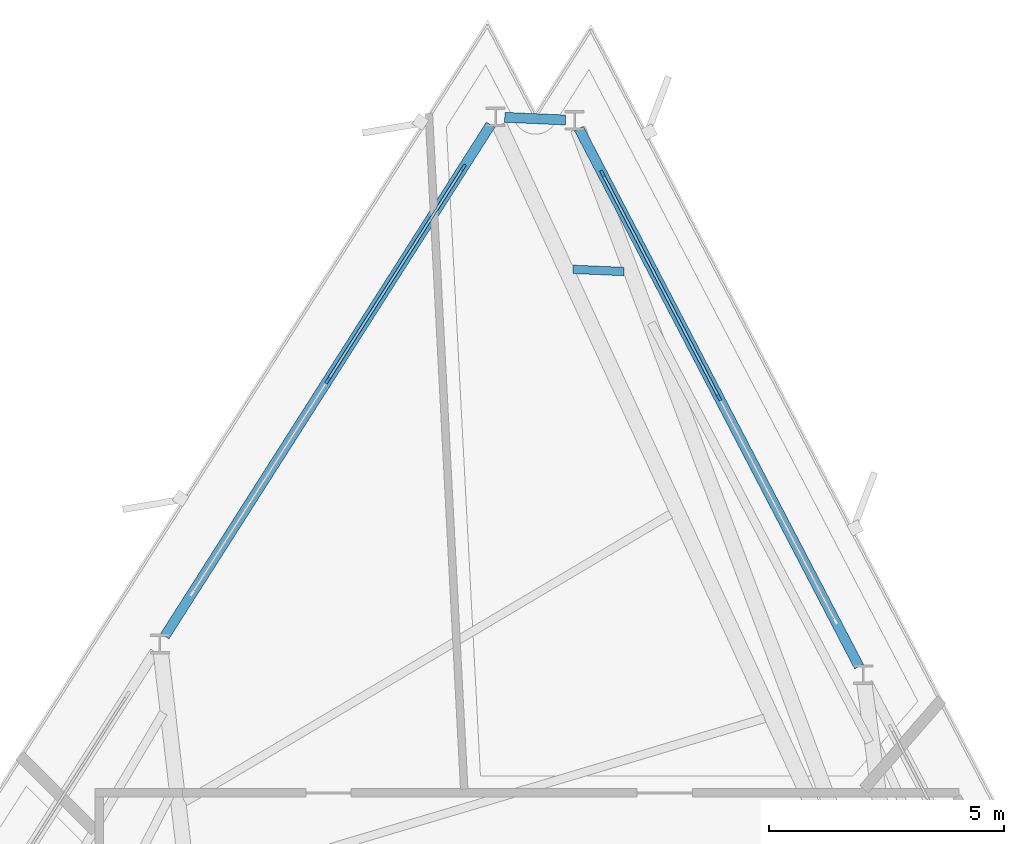
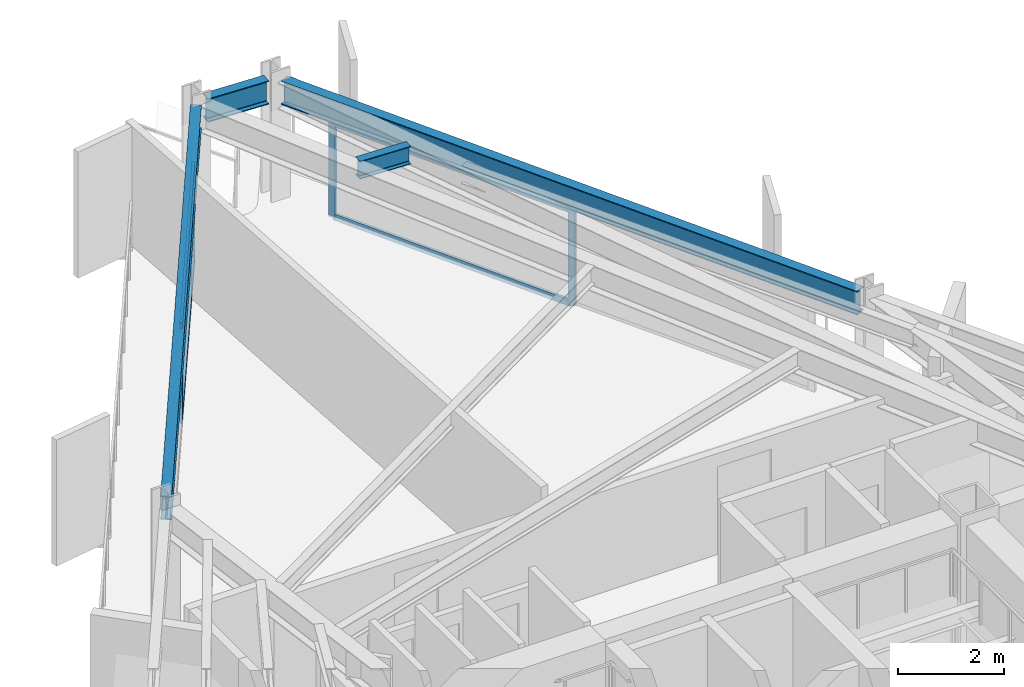
# One storey, part 6 of 12: 8 members, 4 beams, 2 elements without a shape of their own.
"""IFC4 building model written with IfcOpenShell, lengths in metres."""

from ifc_helpers import new_model, si_unit, direction, frame, origin, origin_2d, place, context, subcontext, project, spatial, rectangle, i_section, extrude, material, layer, layer_set, material_profile, profile_set, type_object, element, aggregate, save


model = new_model("IFC4")

# Units and contexts
model_context = context("Model", 3, precision=1e-05, world=origin(), true_north=direction((0.0, 1.0)))
body_context = subcontext(model_context, "Body", "Model", "MODEL_VIEW")
ifc_project = project(units=[si_unit("LENGTHUNIT", "METRE"), si_unit("AREAUNIT", "SQUARE_METRE"), si_unit("VOLUMEUNIT", "CUBIC_METRE"), si_unit("PLANEANGLEUNIT", "RADIAN"), si_unit("MASSUNIT", "GRAM", prefix="KILO")], contexts=[model_context])

# Site, building, storey
site_placement = place(None, origin())
site = spatial("IfcSite", under=ifc_project, at=site_placement, CompositionType="ELEMENT")
building_placement = place(site_placement, origin())
building = spatial("IfcBuilding", under=site, at=building_placement, Name="Rocaltana Carrier Exchange", CompositionType="ELEMENT")
storey_placement = place(building_placement, frame((0.0, 0.0, 128.9599609375)))
storey = spatial("IfcBuildingStorey", under=building, at=storey_placement, Name="L40", CompositionType="ELEMENT", Elevation=128.9599609375)

# Curtain wall, members
ifc_material_1 = material(Name="Aluminium 6063-T6", Category="aluminium")
ifc_layer = layer(ifc_material_1, 0.14990234375)
ifc_layer_set = layer_set([ifc_layer], Name="Aluminium 6063-T6")
curtain_wall_type = type_object("IfcCurtainWallType", Name="Mid-Tower Unitised Curtain Wall CW-03", PredefinedType="NOTDEFINED", material=ifc_layer_set)
curtain_wall_1_placement = place(storey_placement, origin())
curtain_wall_1 = element("IfcCurtainWall", 1, at=curtain_wall_1_placement, inside=storey, type_object=curtain_wall_type, Name="L40 CW-03 Run CW-L40-F1S3", PredefinedType="NOTDEFINED")
ifc_material_2 = material(Name="Aluminium 6063-T6", Category="aluminium")
ifc_material_profile_1 = material_profile(ifc_material_2, rectangle(XDim=0.06005859375, YDim=0.14990234375, at=origin_2d()), Name="AL-60X150")
ifc_profile_set_1 = profile_set([ifc_material_profile_1], Name="Aluminium 6063-T6")
member_type_1 = type_object("IfcMemberType", Name="CW-03 Mullion AL-60X150", PredefinedType="MULLION", material=ifc_profile_set_1)
member_1_placement = place(storey_placement, frame((4.938232421875, 17.56494140625, 0.0), z_axis=(0.0, 0.0, 1.0), x_axis=(-0.887007955385, -0.461754141383, 0.0)))
member_1 = element("IfcMember", 2, at=member_1_placement, type_object=member_type_1, Name="CW-03 mullion 2", PredefinedType="MULLION", context=body_context, shape_type="SweptSolid", body=[
    extrude(rectangle(XDim=0.06005859375, YDim=0.14990234375, at=origin_2d()), origin(), (0.0, 0.0, 1.0), 2.218017578125),
])
member_2_placement = place(storey_placement, frame((2.458740234375, 22.328125, 0.0), z_axis=(0.0, 0.0, 1.0), x_axis=(-0.887007955385, -0.461754141383, 0.0)))
member_2 = element("IfcMember", 3, at=member_2_placement, type_object=member_type_1, Name="CW-03 mullion 3", PredefinedType="MULLION", context=body_context, shape_type="SweptSolid", body=[
    extrude(rectangle(XDim=0.06005859375, YDim=0.14990234375, at=origin_2d()), origin(), (0.0, 0.0, 1.0), 2.218017578125),
])

curtain_wall_2_placement = place(storey_placement, origin())
curtain_wall_2 = element("IfcCurtainWall", 4, at=curtain_wall_2_placement, inside=storey, type_object=curtain_wall_type, Name="L40 CW-03 Run CW-L40-F2S1", PredefinedType="NOTDEFINED")
member_3_placement = place(storey_placement, frame((-0.50341796875, 22.45751953125, 0.0), z_axis=(0.0, 0.0, 1.0), x_axis=(0.843390685726, -0.537300801443, 0.0)))
member_3 = element("IfcMember", 5, at=member_3_placement, type_object=member_type_1, Name="CW-03 mullion 1", PredefinedType="MULLION", context=body_context, shape_type="SweptSolid", body=[
    extrude(rectangle(XDim=0.06005859375, YDim=0.14990234375, at=origin_2d()), origin(), (0.0, 0.0, 1.0), 2.218017578125),
])
member_4_placement = place(storey_placement, frame((-3.388671875, 17.928466796875, 0.0), z_axis=(0.0, 0.0, 1.0), x_axis=(0.843390685726, -0.537300801443, 0.0)))
member_4 = element("IfcMember", 6, at=member_4_placement, type_object=member_type_1, Name="CW-03 mullion 2", PredefinedType="MULLION", context=body_context, shape_type="SweptSolid", body=[
    extrude(rectangle(XDim=0.06005859375, YDim=0.14990234375, at=origin_2d()), origin(), (0.0, 0.0, 1.0), 2.218017578125),
])

# Member
ifc_material_3 = material(Name="Aluminium 6063-T6", Category="aluminium")
ifc_material_profile_2 = material_profile(ifc_material_3, rectangle(XDim=0.06005859375, YDim=0.14990234375, at=origin_2d()), Name="AL-60X150")
ifc_profile_set_2 = profile_set([ifc_material_profile_2], Name="Aluminium 6063-T6")
member_type_2 = type_object("IfcMemberType", Name="CW-03 Transom AL-60X150", PredefinedType="USERDEFINED", material=ifc_profile_set_2)
member_5_placement = place(storey_placement, frame((4.924560546875, 17.591552734375, 0.030029296875), z_axis=(-0.461756588365, 0.887006681543, 0.0), x_axis=(-0.887006681543, -0.461756588365, 0.0)))
member_5 = element("IfcMember", 7, at=member_5_placement, type_object=member_type_2, Name="CW-03 transom 2.1", ObjectType="TRANSOM", PredefinedType="USERDEFINED", context=body_context, shape_type="SweptSolid", body=[
    extrude(rectangle(XDim=0.06005859375, YDim=0.14990234375, at=origin_2d()), origin(), (0.0, 0.0, 1.0), 5.31005859375),
])

member_6_placement = place(storey_placement, frame((4.924560546875, 17.591552734375, 2.18798828125), z_axis=(-0.461756588365, 0.887006681543, 0.0), x_axis=(-0.887006681543, -0.461756588365, 0.0)))
member_6 = element("IfcMember", 8, at=member_6_placement, type_object=member_type_2, Name="CW-03 transom 2.2", ObjectType="TRANSOM", PredefinedType="USERDEFINED", context=body_context, shape_type="SweptSolid", body=[
    extrude(rectangle(XDim=0.06005859375, YDim=0.14990234375, at=origin_2d()), origin(), (0.0, 0.0, 1.0), 5.31005859375),
])

aggregate(curtain_wall_1, [member_1, member_2, member_5, member_6])

member_7_placement = place(storey_placement, frame((-0.51953125, 22.43212890625, 0.030029296875), z_axis=(-0.537306810176, -0.843386857698, 0.0), x_axis=(0.843386857698, -0.537306810176, 0.0)))
member_7 = element("IfcMember", 9, at=member_7_placement, type_object=member_type_2, Name="CW-03 transom 1.1", ObjectType="TRANSOM", PredefinedType="USERDEFINED", context=body_context, shape_type="SweptSolid", body=[
    extrude(rectangle(XDim=0.06005859375, YDim=0.14990234375, at=origin_2d()), origin(), (0.0, 0.0, 1.0), 5.309814453125),
])

member_8_placement = place(storey_placement, frame((-0.51953125, 22.43212890625, 2.18798828125), z_axis=(-0.537306810176, -0.843386857698, 0.0), x_axis=(0.843386857698, -0.537306810176, 0.0)))
member_8 = element("IfcMember", 10, at=member_8_placement, type_object=member_type_2, Name="CW-03 transom 1.2", ObjectType="TRANSOM", PredefinedType="USERDEFINED", context=body_context, shape_type="SweptSolid", body=[
    extrude(rectangle(XDim=0.06005859375, YDim=0.14990234375, at=origin_2d()), origin(), (0.0, 0.0, 1.0), 5.309814453125),
])

aggregate(curtain_wall_2, [member_3, member_4, member_7, member_8])

# Beams
ifc_material_4 = material(Name="Steel S355", Category="steel")
ifc_material_profile_3 = material_profile(ifc_material_4, i_section(OverallWidth=0.179931640625, OverallDepth=0.4130859375, WebThickness=0.009765625, FlangeThickness=0.01611328125, FilletRadius=0.012939453125, at=origin_2d()), Name="W16X50")
ifc_profile_set_3 = profile_set([ifc_material_profile_3], Name="Steel S355")
beam_type_1 = type_object("IfcBeamType", Name="Floor Joist W16X50", PredefinedType="JOIST", material=ifc_profile_set_3)
beam_1_placement = place(storey_placement, frame((2.915771484375, 20.24658203125, 2.58154296875), z_axis=(-0.999049362551, 0.043593247039, 0.0), x_axis=(-0.043593247039, -0.999049362551, 0.0)))
element("IfcBeam", 11, at=beam_1_placement, inside=storey, type_object=beam_type_1, Name="FJ-L40-04-3", PredefinedType="JOIST", context=body_context, shape_type="SweptSolid", body=[
    extrude(i_section(OverallWidth=0.179931640625, OverallDepth=0.4130859375, WebThickness=0.009765625, FlangeThickness=0.01611328125, FilletRadius=0.012939453125, at=origin_2d()), origin(), (0.0, 0.0, 1.0), 1.08642578125),
])
ifc_material_5 = material(Name="Steel S355", Category="steel")
ifc_material_profile_4 = material_profile(ifc_material_5, i_section(OverallWidth=0.2119140625, OverallDepth=0.5439453125, WebThickness=0.01318359375, FlangeThickness=0.021240234375, FilletRadius=0.014892578125, at=origin_2d()), Name="W21X83")
ifc_profile_set_4 = profile_set([ifc_material_profile_4], Name="Steel S355")
beam_type_2 = type_object("IfcBeamType", Name="Spandrel Edge Beam W21X83", PredefinedType="SPANDREL", material=ifc_profile_set_4)
beam_2_placement = place(storey_placement, frame((7.9189453125, 11.83935546875, 2.51611328125), z_axis=(-0.461753420073, 0.88700833088, 0.0), x_axis=(-0.88700833088, -0.461753420073, 0.0)))
element("IfcBeam", 12, at=beam_2_placement, inside=storey, type_object=beam_type_2, Name="SP-L40-03", PredefinedType="SPANDREL", context=body_context, shape_type="SweptSolid", body=[
    extrude(i_section(OverallWidth=0.2119140625, OverallDepth=0.5439453125, WebThickness=0.01318359375, FlangeThickness=0.021240234375, FilletRadius=0.014892578125, at=origin_2d()), origin(), (0.0, 0.0, 1.0), 12.909912109375),
])
beam_3_placement = place(storey_placement, frame((1.6728515625, 23.471923828125, 2.51611328125), z_axis=(-0.999042950667, 0.043739944245, 0.0), x_axis=(-0.043739944245, -0.999042950667, 0.0)))
element("IfcBeam", 13, at=beam_3_placement, inside=storey, type_object=beam_type_2, Name="SP-L40-04", PredefinedType="SPANDREL", context=body_context, shape_type="SweptSolid", body=[
    extrude(i_section(OverallWidth=0.2119140625, OverallDepth=0.5439453125, WebThickness=0.01318359375, FlangeThickness=0.021240234375, FilletRadius=0.014892578125, at=origin_2d()), origin(), (0.0, 0.0, 1.0), 1.294921875),
])
beam_4_placement = place(storey_placement, frame((0.07958984375, 23.37255859375, 2.51611328125), z_axis=(-0.537298808094, -0.84339195563, 0.0), x_axis=(0.84339195563, -0.537298808094, 0.0)))
element("IfcBeam", 14, at=beam_4_placement, inside=storey, type_object=beam_type_2, Name="SP-L40-05", PredefinedType="SPANDREL", context=body_context, shape_type="SweptSolid", body=[
    extrude(i_section(OverallWidth=0.2119140625, OverallDepth=0.5439453125, WebThickness=0.01318359375, FlangeThickness=0.021240234375, FilletRadius=0.014892578125, at=origin_2d()), origin(), (0.0, 0.0, 1.0), 12.909912109375),
])

save(model, "model.ifc")
